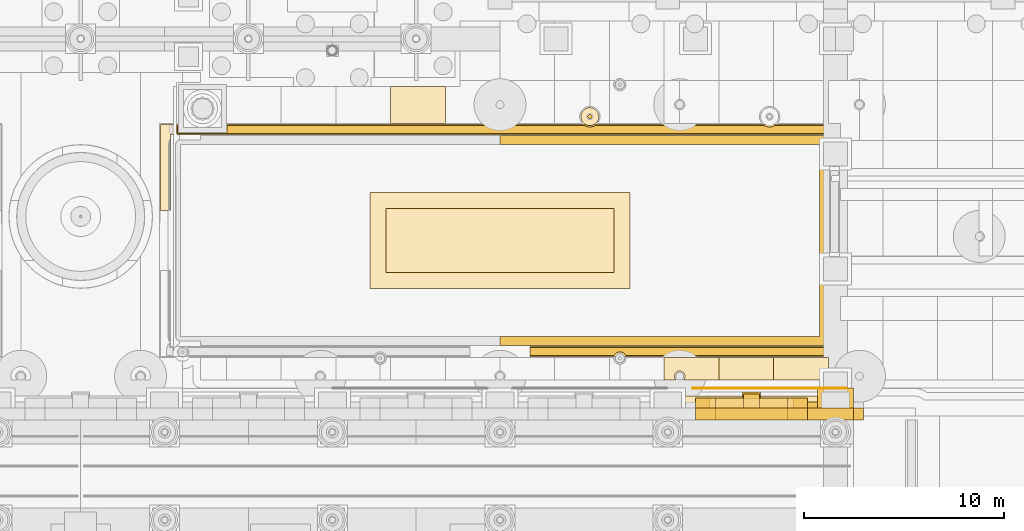
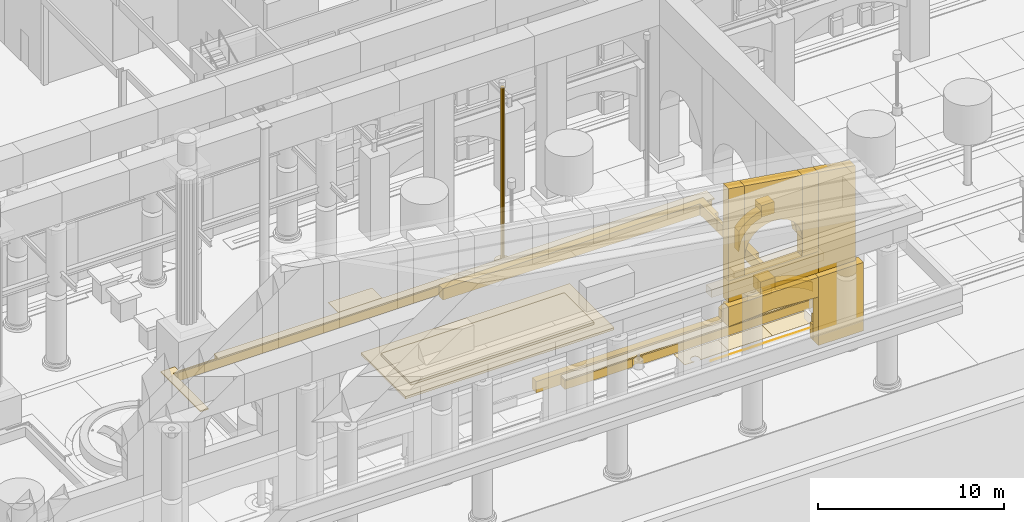
# One storey, part 128 of 222: 31 coverings.
"""IFC4 building model written with IfcOpenShell, lengths in metres."""

from ifc_helpers import new_model, si_unit, direction, frame, origin, origin_2d, place, context, subcontext, project, spatial, polyline, rectangle, circle, outline, extrude, material, layer, layer_set, type_object, element, save


model = new_model("IFC4")

# Units and contexts
model_context = context("Model", 3, precision=1e-05, world=origin(), true_north=direction((0.0, 1.0)))
body_context = subcontext(model_context, "Body", "Model", "MODEL_VIEW")
ifc_project = project(units=[si_unit("LENGTHUNIT", "METRE"), si_unit("AREAUNIT", "SQUARE_METRE"), si_unit("VOLUMEUNIT", "CUBIC_METRE"), si_unit("PLANEANGLEUNIT", "RADIAN"), si_unit("MASSUNIT", "GRAM", prefix="KILO")], contexts=[model_context])

# Site, building, storey
site_placement = place(None, origin())
site = spatial("IfcSite", under=ifc_project, at=site_placement, CompositionType="ELEMENT")
building_placement = place(site_placement, origin())
building = spatial("IfcBuilding", under=site, at=building_placement, Name="Sava Quay Ferry Terminal", CompositionType="ELEMENT")
storey_placement = place(building_placement, origin())
storey = spatial("IfcBuildingStorey", under=building, at=storey_placement, Name="L00", CompositionType="ELEMENT", Elevation=0.0)

# Coverings
ifc_material_1 = material(Name="Limestone Mutalj", Category="masonry")
ifc_layer_1 = layer(ifc_material_1, 0.60009765625)
ifc_layer_set_1 = layer_set([ifc_layer_1], Name="Limestone Mutalj")
covering_type_1 = type_object("IfcCoveringType", Name="Arcade spandrel 600", PredefinedType="CLADDING", material=ifc_layer_set_1)
covering_1_placement = place(storey_placement, frame((93.800048828125, 0.39990234375, 3.199951171875), z_axis=(0.0, 1.0, 0.0), x_axis=(0.0, 0.0, 1.0)))
element("IfcCovering", 1, at=covering_1_placement, inside=storey, type_object=covering_type_1, Name="Arcade spandrel", PredefinedType="CLADDING", context=body_context, shape_type="SweptSolid", body=[
    extrude(outline(polyline([(0.0, 0.0), (1.300048828125, 0.0), (1.300048828125, 5.599853515625), (0.0, 5.599853515625), (0.334228515625, 0.500244140625), (0.60009765625, 1.039794921875), (0.79345703125, 1.609619140625), (0.91064453125, 2.19970703125), (0.949951171875, 2.800048828125), (0.91064453125, 3.400146484375), (0.79345703125, 3.990234375), (0.60009765625, 4.56005859375), (0.334228515625, 5.099609375), (0.0, 0.0)])), origin(), (0.0, 0.0, -1.0), 0.60009765625),
])
ifc_material_2 = material(Name="Limestone Mutalj", Category="masonry")
ifc_layer_2 = layer(ifc_material_2, 0.60009765625)
ifc_layer_set_2 = layer_set([ifc_layer_2], Name="Limestone Mutalj")
covering_type_2 = type_object("IfcCoveringType", Name="Arcade wall pier 2800", PredefinedType="CLADDING", material=ifc_layer_set_2)
covering_2_placement = place(storey_placement, frame((100.800048828125, 0.10009765625, 0.0), z_axis=(0.0, 0.0, 1.0), x_axis=(1.0, 0.0, 0.0)))
element("IfcCovering", 2, at=covering_2_placement, inside=storey, type_object=covering_type_2, Name="Arcade wall pier", PredefinedType="CLADDING", context=body_context, shape_type="SweptSolid", body=[
    extrude(rectangle(XDim=2.800048828125, YDim=0.60009765625, at=origin_2d()), origin(), (0.0, 0.0, 1.0), 4.5),
])
ifc_material_3 = material(Name="Limestone Mutalj", Category="masonry")
ifc_layer_3 = layer(ifc_material_3, 0.5)
ifc_layer_set_3 = layer_set([ifc_layer_3], Name="Limestone Mutalj")
covering_type_3 = type_object("IfcCoveringType", Name="Arch archivolt 500", PredefinedType="MOLDING", material=ifc_layer_set_3)
covering_3_placement = place(storey_placement, frame((93.800048828125, 0.39990234375, 3.199951171875), z_axis=(0.0, -1.0, 0.0), x_axis=(0.807262114097, 0.0, 0.590193086324)))
element("IfcCovering", 3, at=covering_3_placement, inside=storey, type_object=covering_type_3, Name="Arch archivolt", PredefinedType="MOLDING", context=body_context, shape_type="SweptSolid", body=[
    extrude(outline(polyline([(0.0, 0.0), (0.20807213303693342, 0.0), (0.40946312569333504, -0.008724756359381552), (0.6048553291412851, -0.02606827834192732), (0.7947191130804292, -0.05055987286725966), (0.9793045583559503, -0.08268480563038433), (1.159082034667494, -0.12097238355092349), (1.3343016228602433, -0.16590787232388304), (1.5048573321979808, -0.21680892077718283), (1.6715756039617524, -0.2733724526975312), (1.8337740869794783, -0.3357044588211452), (1.9922792225322041, -0.40350186293473334), (2.146840929774747, -0.4762793993432898), (2.2977092895522895, -0.5545223337418203), (2.444634221019649, -0.6377454004353191), (2.7410275751621347, -0.23234057409331088), (2.5951112744575355, -0.14773790906029127), (2.4458279058786156, -0.0673270344139425), (2.293283460161593, 0.008209698673655286), (2.1370837663523186, 0.0791604704204335), (1.9776229954049414, 0.14523710060846096), (1.814362886256347, 0.20653068397859442), (1.6475535197517182, 0.26255595483582816), (1.476800724936906, 0.3136010933980936), (1.3020664024391628, 0.35878666301623635), (1.1232445615222704, 0.39879501486233637), (0.9401530127045152, 0.4325496268101647), (0.7522534949227826, 0.46014159360057844), (0.5596519989132898, 0.4808885640614975), (0.3618102636129225, 0.49488163293377874), (0.0, 0.0)])), origin(), (0.0, 0.0, -1.0), 0.5),
])
covering_4_placement = place(storey_placement, frame((97.050048828125, 0.39990234375, 4.1279296875), z_axis=(0.0, -1.0, 0.0), x_axis=(0.993307380301, 0.0, -0.115500858175)))
element("IfcCovering", 4, at=covering_4_placement, inside=storey, type_object=covering_type_3, Name="Arch archivolt", PredefinedType="MOLDING", context=body_context, shape_type="SweptSolid", body=[
    extrude(outline(polyline([(0.0, 0.0), (0.16910047517119814, 3.469446951953614e-18), (0.3386916034020246, -0.0063333722524431535), (0.5092865965134697, -0.019186226538567767), (0.6803722426845432, -0.03837245307713555), (0.8524617537362355, -0.06407816164938478), (1.025154711654367, -0.09708726921265261), (1.1988797329048202, -0.13685836549424574), (1.3732363994734156, -0.18417536745150137), (1.5487661216328463, -0.2394668915503016), (1.724955687562122, -0.30254682800940813), (1.9024593013407467, -0.3748138200332787), (2.0807637511477304, -0.45608175784067484), (2.2605232410625775, -0.5477492846360541), (2.4413091546194052, -0.65035781069211), (2.3705028423937384, -0.04142352555137574), (2.1917190189078077, 0.04396702589496604), (2.01367963454683, 0.12084164492706989), (1.8368415042283905, 0.18949923513298525), (1.6606632176797962, 0.2503684129785943), (1.4856015898186314, 0.3037480820519464), (1.311058813468798, 0.3505518721882115), (1.1375762989029885, 0.39035116692150745), (0.9645844373968073, 0.42381708940236024), (0.7925682423195425, 0.4510060365341754), (0.6210145018502029, 0.4721041180981913), (0.4503800309063738, 0.48741023768245734), (0.28017981611876747, 0.4968679983835679), (0.11089887085667155, 0.5005337971049285), (-0.05800421515260716, 0.4988362503124215), (0.0, 0.0)])), origin(), (0.0, 0.0, -1.0), 0.5),
])
ifc_material_4 = material(Name="Limestone Mutalj", Category="masonry")
ifc_layer_4 = layer(ifc_material_4, 0.800048828125)
ifc_layer_set_4 = layer_set([ifc_layer_4], Name="Limestone Mutalj")
covering_type_4 = type_object("IfcCoveringType", Name="Arch keystone 900", PredefinedType="CLADDING", material=ifc_layer_set_4)
covering_5_placement = place(storey_placement, frame((96.60009765625, 0.800048828125, 4.14990234375), z_axis=(0.0, 0.0, 1.0), x_axis=(1.0, 0.0, 0.0)))
element("IfcCovering", 5, at=covering_5_placement, inside=storey, type_object=covering_type_4, Name="Arch keystone", PredefinedType="CLADDING", context=body_context, shape_type="SweptSolid", body=[
    extrude(rectangle(XDim=0.89990234375, YDim=0.800048828125, at=origin_2d()), origin(), (0.0, 0.0, 1.0), 0.800048828125),
])
ifc_material_5 = material(Name="Limestone Mutalj", Category="masonry")
ifc_layer_5 = layer(ifc_material_5, 0.60009765625)
ifc_layer_set_5 = layer_set([ifc_layer_5], Name="Limestone Mutalj")
covering_type_5 = type_object("IfcCoveringType", Name="Attic arch head panel 600", PredefinedType="CLADDING", material=ifc_layer_set_5)
covering_6_placement = place(storey_placement, frame((94.800048828125, -0.199951171875, 7.39990234375), z_axis=(0.0, -1.0, 0.0), x_axis=(0.130360467782, 0.0, 0.991466665319)))
element("IfcCovering", 6, at=covering_6_placement, inside=storey, type_object=covering_type_5, Name="Attic arch head panel", PredefinedType="CLADDING", context=body_context, shape_type="SweptSolid", body=[
    extrude(outline(polyline([(0.0, 0.0), (0.47007576696975106, -6.938893903907228e-18), (0.9239096038088954, -0.12180908706656961), (1.3307996686807666, -0.3566594363796859), (1.6628474956806976, -0.6890123392533513), (1.8978308560459949, -1.095934230411302), (2.019343616297553, -1.5500332017691405), (2.0193117900114737, -2.019866911447554), (1.8975027029449039, -2.473700748286698), (1.6626523536317879, -2.880590813158569), (1.3302994507581225, -3.2126386401585), (0.9233775596001718, -3.4476220005237974), (0.46927858824233326, -3.5691347607753556), (4.595387176385888, -3.0266238882640764), (4.679693613433025, 0.6152975887751122), (0.0, 0.0)])), origin(), (0.0, 0.0, -1.0), 0.60009765625),
])
ifc_material_6 = material(Name="Limestone Mutalj", Category="masonry")
ifc_layer_6 = layer(ifc_material_6, 0.60009765625)
ifc_layer_set_6 = layer_set([ifc_layer_6], Name="Limestone Mutalj")
covering_type_6 = type_object("IfcCoveringType", Name="Attic wall pier 2800", PredefinedType="CLADDING", material=ifc_layer_set_6)
covering_7_placement = place(storey_placement, frame((99.39990234375, -0.199951171875, 4.800048828125), z_axis=(0.0, -1.0, 0.0), x_axis=(1.0, 0.0, 0.0)))
element("IfcCovering", 7, at=covering_7_placement, inside=storey, type_object=covering_type_6, Name="Attic wall pier", PredefinedType="CLADDING", context=body_context, shape_type="SweptSolid", body=[
    extrude(outline(polyline([(0.0, 0.0), (2.300048828125, 0.0), (2.300048828125, 6.25), (0.0, 6.6064453125), (0.0, 0.0)])), origin(), (0.0, 0.0, -1.0), 0.60009765625),
])
ifc_material_7 = material(Name="Limestone Mutalj", Category="masonry")
ifc_layer_7 = layer(ifc_material_7, 0.60009765625)
ifc_layer_set_7 = layer_set([ifc_layer_7], Name="Limestone Mutalj")
covering_type_7 = type_object("IfcCoveringType", Name="Attic window jamb panel 600", PredefinedType="CLADDING", material=ifc_layer_set_7)
covering_8_placement = place(storey_placement, frame((93.800048828125, -0.199951171875, 6.199951171875), z_axis=(0.0, -1.0, 0.0), x_axis=(1.0, 0.0, 0.0)))
element("IfcCovering", 8, at=covering_8_placement, inside=storey, type_object=covering_type_7, Name="Attic window jamb panel", PredefinedType="CLADDING", context=body_context, shape_type="SweptSolid", body=[
    extrude(outline(polyline([(0.0, 0.0), (1.0, 0.0), (1.0, 5.919921875), (0.0, 6.074951171875), (0.0, 0.0)])), origin(), (0.0, 0.0, -1.0), 0.60009765625),
])
covering_9_placement = place(storey_placement, frame((98.39990234375, -0.199951171875, 6.199951171875), z_axis=(0.0, -1.0, 0.0), x_axis=(1.0, 0.0, 0.0)))
element("IfcCovering", 9, at=covering_9_placement, inside=storey, type_object=covering_type_7, Name="Attic window jamb panel", PredefinedType="CLADDING", context=body_context, shape_type="SweptSolid", body=[
    extrude(outline(polyline([(0.0, 0.0), (1.0, 0.0), (1.0, 5.20654296875), (0.0, 5.361572265625), (0.0, 0.0)])), origin(), (0.0, 0.0, -1.0), 0.60009765625),
])
ifc_material_8 = material(Name="Limestone Mutalj", Category="masonry")
ifc_layer_8 = layer(ifc_material_8, 0.60009765625)
ifc_layer_set_8 = layer_set([ifc_layer_8], Name="Limestone Mutalj")
covering_type_8 = type_object("IfcCoveringType", Name="Attic window sill panel 600", PredefinedType="CLADDING", material=ifc_layer_set_8)
covering_10_placement = place(storey_placement, frame((93.800048828125, -0.199951171875, 4.800048828125), z_axis=(0.0, -1.0, 0.0), x_axis=(1.0, 0.0, 0.0)))
element("IfcCovering", 10, at=covering_10_placement, inside=storey, type_object=covering_type_8, Name="Attic window sill panel", PredefinedType="CLADDING", context=body_context, shape_type="SweptSolid", body=[
    extrude(outline(polyline([(0.0, 0.0), (5.599853515625, 0.0), (5.599853515625, 1.39990234375), (0.0, 1.39990234375), (0.0, 0.0)])), origin(), (0.0, 0.0, -1.0), 0.60009765625),
])
ifc_material_9 = material(Name="Limestone Mutalj", Category="masonry")
ifc_layer_9 = layer(ifc_material_9, 1.0)
ifc_layer_set_9 = layer_set([ifc_layer_9], Name="Limestone Mutalj")
covering_type_9 = type_object("IfcCoveringType", Name="Back wall pilaster base 1000", PredefinedType="MOLDING", material=ifc_layer_set_9)
covering_11_placement = place(storey_placement, frame((100.800048828125, 0.89990234375, 0.0), z_axis=(0.0, 0.0, 1.0), x_axis=(1.0, 0.0, 0.0)))
element("IfcCovering", 11, at=covering_11_placement, inside=storey, type_object=covering_type_9, Name="Back wall pilaster base", PredefinedType="MOLDING", context=body_context, shape_type="SweptSolid", body=[
    extrude(rectangle(XDim=1.800048828125, YDim=1.0, at=origin_2d()), origin(), (0.0, 0.0, 1.0), 1.0),
])
ifc_material_10 = material(Name="Basalt setts", Category="masonry")
ifc_layer_10 = layer(ifc_material_10, 0.02001953125)
ifc_layer_set_10 = layer_set([ifc_layer_10], Name="Basalt setts")
covering_type_10 = type_object("IfcCoveringType", Name="Basalt inlay line 20", PredefinedType="FLOORING", material=ifc_layer_set_10)
covering_12_placement = place(storey_placement, frame((0.0, 0.0, 0.050048828125)))
element("IfcCovering", 12, at=covering_12_placement, inside=storey, type_object=covering_type_10, Name="Basalt inlay line", PredefinedType="FLOORING", context=body_context, shape_type="SweptSolid", body=[
    extrude(outline(polyline([(93.6240234375, 1.3798828125), (101.3759765625, 1.3798828125), (101.340087890625, 1.419921875), (93.659912109375, 1.419921875), (93.6240234375, 1.3798828125)])), origin(), (0.0, 0.0, 1.0), 0.02001953125),
])
ifc_material_11 = material(Name="Foliage clipped hedge")
ifc_layer_11 = layer(ifc_material_11, 0.449951171875)
ifc_layer_set_11 = layer_set([ifc_layer_11], Name="Foliage clipped hedge")
covering_type_11 = type_object("IfcCoveringType", Name="Clipped hedge 450", PredefinedType="CLADDING", material=ifc_layer_set_11)
covering_13_placement = place(storey_placement, origin())
element("IfcCovering", 13, at=covering_13_placement, inside=storey, type_object=covering_type_11, Name="Clipped hedge", PredefinedType="CLADDING", context=body_context, shape_type="SweptSolid", body=[
    extrude(outline(polyline([(100.449951171875, 12.409912109375), (100.449951171875, 14.050048828125), (84.0, 14.050048828125), (84.0, 13.610107421875), (100.0, 13.610107421875), (100.006103515625, 13.60791015625), (100.009033203125, 13.60498046875), (100.010009765625, 13.60009765625), (100.010009765625, 4.0), (100.007080078125, 3.992919921875), (100.0, 3.989990234375), (84.0, 3.989990234375), (84.0, 3.550048828125), (100.449951171875, 3.550048828125), (100.449951171875, 5.989990234375), (100.25, 5.989990234375), (100.242919921875, 5.992919921875), (100.239990234375, 5.9990234375), (100.239990234375, 8.0), (100.242919921875, 8.007080078125), (100.25, 8.010009765625), (100.449951171875, 8.010009765625), (100.449951171875, 11.389892578125), (100.25, 11.389892578125), (100.243896484375, 11.39208984375), (100.239990234375, 11.39794921875), (100.239990234375, 12.39990234375), (100.242919921875, 12.406982421875), (100.25, 12.409912109375), (100.449951171875, 12.409912109375)])), origin(), (0.0, 0.0, 1.0), 0.75),
])
ifc_material_12 = material(Name="Limestone Mutalj", Category="masonry")
ifc_layer_12 = layer(ifc_material_12, 0.030029296875)
ifc_layer_set_12 = layer_set([ifc_layer_12], Name="Limestone Mutalj")
covering_type_12 = type_object("IfcCoveringType", Name="Court paving tile 30", PredefinedType="FLOORING", material=ifc_layer_set_12)
covering_14_placement = place(storey_placement, origin())
element("IfcCovering", 14, at=covering_14_placement, inside=storey, type_object=covering_type_12, Name="Limestone paving tile", PredefinedType="FLOORING", context=body_context, shape_type="SweptSolid", body=[
    extrude(outline(polyline([(78.52001953125, 16.5), (78.52001953125, 14.64990234375), (81.260009765625, 14.64990234375), (81.260009765625, 16.5), (78.52001953125, 16.5)])), origin(), (0.0, 0.0, 1.0), 0.030029296875),
])
covering_15_placement = place(storey_placement, origin())
element("IfcCovering", 15, at=covering_15_placement, inside=storey, type_object=covering_type_12, Name="Limestone paving tile", PredefinedType="FLOORING", context=body_context, shape_type="SweptSolid", body=[
    extrude(outline(polyline([(94.9599609375, 1.81005859375), (97.699951171875, 1.81005859375), (97.699951171875, 2.949951171875), (94.9599609375, 2.949951171875), (94.9599609375, 1.81005859375)])), origin(), (0.0, 0.0, 1.0), 0.030029296875),
])
ifc_material_13 = material(Name="Red sandstone Vrsac", Category="masonry")
ifc_layer_13 = layer(ifc_material_13, 0.030029296875)
ifc_layer_set_13 = layer_set([ifc_layer_13], Name="Red sandstone Vrsac")
covering_type_13 = type_object("IfcCoveringType", Name="Court paving tile sandstone 30", PredefinedType="FLOORING", material=ifc_layer_set_13)
covering_16_placement = place(storey_placement, origin())
element("IfcCovering", 16, at=covering_16_placement, inside=storey, type_object=covering_type_13, Name="Sandstone paving tile", PredefinedType="FLOORING", context=body_context, shape_type="SweptSolid", body=[
    extrude(outline(polyline([(93.4580078125, 1.81005859375), (94.9599609375, 1.81005859375), (94.9599609375, 2.949951171875), (92.219970703125, 2.949951171875), (92.219970703125, 1.81005859375), (92.5419921875, 1.81005859375), (92.548095703125, 1.80810546875), (92.552978515625, 1.800048828125), (92.833984375, 1.800048828125), (92.799072265625, 1.8349609375), (92.783935546875, 1.85595703125), (92.77099609375, 1.876953125), (92.7509765625, 1.924072265625), (92.7451171875, 1.948974609375), (92.740966796875, 1.97509765625), (92.739990234375, 2.0), (92.740966796875, 2.02490234375), (92.7451171875, 2.051025390625), (92.7509765625, 2.075927734375), (92.77099609375, 2.123046875), (92.783935546875, 2.14501953125), (92.799072265625, 2.1650390625), (92.8349609375, 2.200927734375), (92.876953125, 2.22900390625), (92.89990234375, 2.239990234375), (92.925048828125, 2.2490234375), (92.948974609375, 2.2548828125), (92.97412109375, 2.259033203125), (93.0, 2.260009765625), (93.02587890625, 2.259033203125), (93.075927734375, 2.2490234375), (93.1220703125, 2.22998046875), (93.14501953125, 2.216064453125), (93.1650390625, 2.200927734375), (93.200927734375, 2.1650390625), (93.22900390625, 2.123046875), (93.2490234375, 2.075927734375), (93.2548828125, 2.051025390625), (93.259033203125, 2.02490234375), (93.260009765625, 2.0), (93.259033203125, 1.97509765625), (93.2548828125, 1.948974609375), (93.2490234375, 1.924072265625), (93.22900390625, 1.876953125), (93.216064453125, 1.85595703125), (93.200927734375, 1.8349609375), (93.166015625, 1.800048828125), (93.447021484375, 1.800048828125), (93.450927734375, 1.80810546875), (93.4580078125, 1.81005859375)])), origin(), (0.0, 0.0, 1.0), 0.030029296875),
])
covering_17_placement = place(storey_placement, origin())
element("IfcCovering", 17, at=covering_17_placement, inside=storey, type_object=covering_type_13, Name="Sandstone paving tile", PredefinedType="FLOORING", context=body_context, shape_type="SweptSolid", body=[
    extrude(outline(polyline([(97.699951171875, 1.81005859375), (100.43994140625, 1.81005859375), (100.43994140625, 2.949951171875), (97.699951171875, 2.949951171875), (97.699951171875, 1.81005859375)])), origin(), (0.0, 0.0, 1.0), 0.030029296875),
])
ifc_material_14 = material(Name="Limestone Mutalj", Category="masonry")
ifc_layer_14 = layer(ifc_material_14, 0.60009765625)
ifc_layer_set_14 = layer_set([ifc_layer_14], Name="Limestone Mutalj")
covering_type_14 = type_object("IfcCoveringType", Name="Face string course 600", PredefinedType="MOLDING", material=ifc_layer_set_14)
covering_18_placement = place(storey_placement, frame((96.60009765625, 0.699951171875, 5.0), z_axis=(0.0, 0.0, 1.0), x_axis=(1.0, 0.0, 0.0)))
element("IfcCovering", 18, at=covering_18_placement, inside=storey, type_object=covering_type_14, Name="Face string course", PredefinedType="MOLDING", context=body_context, shape_type="SweptSolid", body=[
    extrude(rectangle(XDim=7.0, YDim=0.60009765625, at=origin_2d()), origin(), (0.0, 0.0, 1.0), 0.5),
])
ifc_material_15 = material(Name="Steel S355", Category="steel")
ifc_layer_15 = layer(ifc_material_15, 0.89990234375)
ifc_layer_set_15 = layer_set([ifc_layer_15], Name="Steel S355")
covering_type_15 = type_object("IfcCoveringType", Name="Flagstaff base plate 900", PredefinedType="MOLDING", material=ifc_layer_set_15)
covering_19_placement = place(storey_placement, frame((88.5, 15.0, 0.25), z_axis=(0.0, 0.0, -1.0), x_axis=(1.0, 0.0, 0.0)))
element("IfcCovering", 19, at=covering_19_placement, inside=storey, type_object=covering_type_15, Name="Flagstaff base plate", PredefinedType="MOLDING", context=body_context, shape_type="SweptSolid", body=[
    extrude(circle(Radius=0.449951171875, at=origin_2d()), origin(), (0.0, 0.0, 1.0), 0.25),
])
ifc_material_16 = material(Name="Steel S355", Category="steel")
ifc_layer_16 = layer(ifc_material_16, 0.219970703125)
ifc_layer_set_16 = layer_set([ifc_layer_16], Name="Steel S355")
covering_type_16 = type_object("IfcCoveringType", Name="Flagstaff mast 220", PredefinedType="CLADDING", material=ifc_layer_set_16)
covering_20_placement = place(storey_placement, frame((88.5, 15.0, 11.64990234375), z_axis=(0.0, 0.0, -1.0), x_axis=(1.0, 0.0, 0.0)))
element("IfcCovering", 20, at=covering_20_placement, inside=storey, type_object=covering_type_16, Name="Flagstaff mast", PredefinedType="CLADDING", context=body_context, shape_type="SweptSolid", body=[
    extrude(circle(Radius=0.110107421875, at=origin_2d()), origin(), (0.0, 0.0, 1.0), 11.39990234375),
])
ifc_material_17 = material(Name="Limestone Mutalj", Category="masonry")
ifc_layer_17 = layer(ifc_material_17, 0.080078125)
ifc_layer_set_17 = layer_set([ifc_layer_17], Name="Limestone Mutalj")
covering_type_17 = type_object("IfcCoveringType", Name="Garden bed wall coping 450", PredefinedType="MOLDING", material=ifc_layer_set_17)
covering_21_placement = place(storey_placement, frame((0.0, 0.0, 0.60009765625)))
element("IfcCovering", 21, at=covering_21_placement, inside=storey, type_object=covering_type_17, Name="Garden bed wall coping", PredefinedType="MOLDING", context=body_context, shape_type="SweptSolid", body=[
    extrude(outline(polyline([(67.8798828125, 14.60009765625), (67.0, 14.60009765625), (67.0, 10.300048828125), (67.5, 10.300048828125), (67.5, 14.10009765625), (100.5, 14.10009765625), (100.5, 13.7529296875), (101.0, 13.7529296875), (101.0, 14.60009765625), (70.320068359375, 14.60009765625), (70.320068359375, 14.199951171875), (70.319091796875, 14.194091796875), (70.31494140625, 14.18701171875), (70.31103515625, 14.18310546875), (70.303955078125, 14.179931640625), (67.89990234375, 14.179931640625), (67.89208984375, 14.181884765625), (67.885986328125, 14.18603515625), (67.882080078125, 14.19189453125), (67.8798828125, 14.199951171875), (67.8798828125, 14.60009765625)])), origin(), (0.0, 0.0, 1.0), 0.079833984375),
])
covering_22_placement = place(storey_placement, frame((0.0, 0.0, 0.60009765625)))
element("IfcCovering", 22, at=covering_22_placement, inside=storey, type_object=covering_type_17, Name="Garden bed wall coping", PredefinedType="MOLDING", context=body_context, shape_type="SweptSolid", body=[
    extrude(outline(polyline([(101.0, 3.0), (101.0, 6.7470703125), (100.5, 6.7470703125), (100.5, 3.5), (85.5, 3.5), (85.5, 3.0), (89.887939453125, 3.0), (89.904052734375, 3.014892578125), (89.916015625, 3.02392578125), (89.94189453125, 3.0380859375), (89.971923828125, 3.047119140625), (90.0009765625, 3.050048828125), (90.030029296875, 3.047119140625), (90.05810546875, 3.0380859375), (90.083984375, 3.02392578125), (90.095947265625, 3.014892578125), (90.112060546875, 3.0), (101.0, 3.0)])), origin(), (0.0, 0.0, 1.0), 0.079833984375),
])
ifc_material_18 = material(Name="Limestone Mutalj", Category="masonry")
ifc_layer_18 = layer(ifc_material_18, 0.300048828125)
ifc_layer_set_18 = layer_set([ifc_layer_18], Name="Limestone Mutalj")
covering_type_18 = type_object("IfcCoveringType", Name="Pier rustication block 300", PredefinedType="CLADDING", material=ifc_layer_set_18)
covering_23_placement = place(storey_placement, frame((99.64990234375, 0.550048828125, 0.0), z_axis=(0.0, 0.0, 1.0), x_axis=(1.0, 0.0, 0.0)))
element("IfcCovering", 23, at=covering_23_placement, inside=storey, type_object=covering_type_18, Name="Pier rustication block", PredefinedType="CLADDING", context=body_context, shape_type="SweptSolid", body=[
    extrude(rectangle(XDim=0.5, YDim=0.300048828125, at=origin_2d()), origin(), (0.0, 0.0, 1.0), 1.0),
])
ifc_material_19 = material(Name="Limestone Mutalj", Category="masonry")
ifc_layer_19 = layer(ifc_material_19, 0.39990234375)
ifc_layer_set_19 = layer_set([ifc_layer_19], Name="Limestone Mutalj")
covering_type_19 = type_object("IfcCoveringType", Name="Retaining wall 400", PredefinedType="CLADDING", material=ifc_layer_set_19)
covering_24_placement = place(storey_placement, origin())
element("IfcCovering", 24, at=covering_24_placement, inside=storey, type_object=covering_type_19, Name="Retaining wall", PredefinedType="CLADDING", context=body_context, shape_type="SweptSolid", body=[
    extrude(outline(polyline([(67.8798828125, 14.550048828125), (67.820068359375, 14.550048828125), (67.820068359375, 14.14990234375), (100.550048828125, 14.14990234375), (100.550048828125, 13.952880859375), (100.949951171875, 13.952880859375), (100.949951171875, 14.550048828125), (97.760009765625, 14.550048828125), (97.743896484375, 14.541015625), (97.699951171875, 14.52001953125), (97.64990234375, 14.501953125), (97.60205078125, 14.489990234375), (97.552001953125, 14.48291015625), (97.4990234375, 14.47998046875), (97.447998046875, 14.48291015625), (97.39990234375, 14.489990234375), (97.35009765625, 14.501953125), (97.300048828125, 14.52001953125), (97.256103515625, 14.541015625), (97.239990234375, 14.550048828125), (88.760009765625, 14.550048828125), (88.743896484375, 14.541015625), (88.699951171875, 14.52001953125), (88.64990234375, 14.501953125), (88.60205078125, 14.489990234375), (88.552001953125, 14.48291015625), (88.4990234375, 14.47998046875), (88.447998046875, 14.48291015625), (88.39990234375, 14.489990234375), (88.35009765625, 14.501953125), (88.300048828125, 14.52001953125), (88.256103515625, 14.541015625), (88.239990234375, 14.550048828125), (70.320068359375, 14.550048828125), (70.320068359375, 14.199951171875), (70.319091796875, 14.194091796875), (70.31494140625, 14.18701171875), (70.31103515625, 14.18310546875), (70.303955078125, 14.179931640625), (67.89990234375, 14.179931640625), (67.89208984375, 14.181884765625), (67.886962890625, 14.18505859375), (67.882080078125, 14.19091796875), (67.8798828125, 14.197998046875), (67.8798828125, 14.550048828125)])), origin(), (0.0, 0.0, 1.0), 0.60009765625),
])
covering_25_placement = place(storey_placement, origin())
element("IfcCovering", 25, at=covering_25_placement, inside=storey, type_object=covering_type_19, Name="Retaining wall", PredefinedType="CLADDING", context=body_context, shape_type="SweptSolid", body=[
    extrude(outline(polyline([(100.949951171875, 3.050048828125), (100.949951171875, 6.360107421875), (100.6298828125, 6.360107421875), (100.62109375, 6.362060546875), (100.613037109375, 6.368896484375), (100.610107421875, 6.3779296875), (100.610107421875, 6.547119140625), (100.550048828125, 6.547119140625), (100.550048828125, 3.449951171875), (85.5, 3.449951171875), (85.5, 3.050048828125), (89.717041015625, 3.050048828125), (89.73388671875, 3.0791015625), (89.751953125, 3.10205078125), (89.77294921875, 3.1259765625), (89.798095703125, 3.14794921875), (89.821044921875, 3.166015625), (89.847900390625, 3.181884765625), (89.876953125, 3.195068359375), (89.907958984375, 3.2060546875), (89.93701171875, 3.214111328125), (89.968017578125, 3.218017578125), (90.0009765625, 3.219970703125), (90.030029296875, 3.218994140625), (90.06103515625, 3.214111328125), (90.093994140625, 3.2060546875), (90.123046875, 3.195068359375), (90.14990234375, 3.18310546875), (90.177001953125, 3.1669921875), (90.201904296875, 3.14794921875), (90.22705078125, 3.1259765625), (90.248046875, 3.10205078125), (90.26611328125, 3.0791015625), (90.282958984375, 3.050048828125), (100.949951171875, 3.050048828125)])), origin(), (0.0, 0.0, 1.0), 0.60009765625),
])
ifc_material_20 = material(Name="Limestone Mutalj", Category="masonry")
ifc_layer_20 = layer(ifc_material_20, 0.14990234375)
ifc_layer_set_20 = layer_set([ifc_layer_20], Name="Limestone Mutalj")
covering_type_20 = type_object("IfcCoveringType", Name="Stone step 150", PredefinedType="MOLDING", material=ifc_layer_set_20)
covering_26_placement = place(storey_placement, frame((0.0, 0.0, 0.14990234375)))
element("IfcCovering", 26, at=covering_26_placement, inside=storey, type_object=covering_type_20, Name="Stone step 150", PredefinedType="MOLDING", context=body_context, shape_type="SweptSolid", body=[
    extrude(outline(polyline([(90.5, 11.199951171875), (77.5, 11.199951171875), (77.5, 6.39990234375), (90.5, 6.39990234375), (90.5, 11.199951171875)]), holes=[polyline([(78.300048828125, 10.39990234375), (89.699951171875, 10.39990234375), (89.699951171875, 7.199951171875), (78.300048828125, 7.199951171875), (78.300048828125, 10.39990234375)])]), origin(), (0.0, 0.0, 1.0), 0.150146484375),
])
ifc_material_21 = material(Name="Limestone Mutalj", Category="masonry")
ifc_layer_21 = layer(ifc_material_21, 0.14990234375)
ifc_layer_set_21 = layer_set([ifc_layer_21], Name="Limestone Mutalj")
covering_type_21 = type_object("IfcCoveringType", Name="Stone step 300", PredefinedType="MOLDING", material=ifc_layer_set_21)
covering_27_placement = place(storey_placement, frame((0.0, 0.0, 0.14990234375)))
element("IfcCovering", 27, at=covering_27_placement, inside=storey, type_object=covering_type_21, Name="Stone step 300", PredefinedType="MOLDING", context=body_context, shape_type="SweptSolid", body=[
    extrude(outline(polyline([(78.300048828125, 7.199951171875), (89.699951171875, 7.199951171875), (89.699951171875, 10.39990234375), (78.300048828125, 10.39990234375), (78.300048828125, 7.199951171875)])), origin(), (0.0, 0.0, 1.0), 0.300048828125),
])
ifc_material_22 = material(Name="Limestone Mutalj", Category="masonry")
ifc_layer_22 = layer(ifc_material_22, 0.5)
ifc_layer_set_22 = layer_set([ifc_layer_22], Name="Limestone Mutalj")
covering_type_22 = type_object("IfcCoveringType", Name="Window archivolt 450", PredefinedType="MOLDING", material=ifc_layer_set_22)
covering_28_placement = place(storey_placement, frame((94.800048828125, 0.39990234375, 7.39990234375), z_axis=(0.0, -1.0, 0.0), x_axis=(0.166377641134, 0.0, 0.986062107846)))
element("IfcCovering", 28, at=covering_28_placement, inside=storey, type_object=covering_type_22, Name="Window archivolt", PredefinedType="MOLDING", context=body_context, shape_type="SweptSolid", body=[
    extrude(outline(polyline([(0.0, 0.0), (0.6001618663680972, 0.0), (0.8464797579087572, -0.05995146351930278), (1.0311687677090124, -0.1303015296094907), (1.1823546010854897, -0.20605697412004037), (1.3109516989892047, -0.28587139333138545), (1.4228972678200338, -0.36824782307261594), (1.521402138311442, -0.45313968494552603), (1.6090738069344195, -0.5398594261765993), (1.686834605424868, -0.6280038307813677), (1.7564509376004613, -0.7177700376093801), (1.8183230400172117, -0.8085953319394548), (1.8732543652155995, -0.9008393307863108), (1.9214450314736302, -0.9942206767893577), (1.9635766327079072, -1.088376773505419), (2.416404470808302, -1.0119714163341889), (2.3795691015985914, -0.9169216897096921), (2.338119094280917, -0.8224029965504548), (2.2916135927579755, -0.7287373137583606), (2.2400932165710588, -0.6361653791527075), (2.1832359888182835, -0.5442463366361916), (2.120641672943638, -0.45354290092999444), (2.0519882920452384, -0.36361421593681204), (1.9765942522064819, -0.27482287809982003), (1.8940186973300643, -0.18749086432090212), (1.8034581748755054, -0.10125855758533892), (1.7037902348288976, -0.01681053123818993), (1.5932484733725667, 0.06605035357009414), (1.4699476074934175, 0.14675840268987458), (1.3312801407204597, 0.22462606334763535), (0.0, 0.0)])), origin(), (0.0, 0.0, -1.0), 0.5),
])
covering_29_placement = place(storey_placement, frame((97.0, 0.39990234375, 9.155029296875), z_axis=(0.0, -1.0, 0.0), x_axis=(0.968166647099, 0.0, -0.250306499006)))
element("IfcCovering", 29, at=covering_29_placement, inside=storey, type_object=covering_type_22, Name="Window archivolt", PredefinedType="MOLDING", context=body_context, shape_type="SweptSolid", body=[
    extrude(outline(polyline([(0.0, 0.0), (0.10338887065559549, 3.469446951953614e-18), (0.20806912212858697, -0.005970330243282702), (0.3146968219949552, -0.01849787719061112), (0.42286034261915506, -0.03794122962253005), (0.5332157515771674, -0.06488727399980251), (0.6456489000288829, -0.09986985792819128), (0.7603511890597372, -0.14460467306509403), (0.8780397962308196, -0.19991497468160066), (0.9989141937576748, -0.26852303966152546), (1.1242415490673723, -0.35337944256890097), (1.2553132429773082, -0.46045451364701), (1.3946428560070567, -0.6004459593456741), (1.5498529940350156, -0.8008867105029287), (1.7946584413627589, -1.348850722825911), (1.456720223710436, -0.04173120171786998), (1.3290626178364908, 0.05311380120834647), (1.2050796821991896, 0.132770090288529), (1.084571944582988, 0.19995994240649212), (0.9665777874863608, 0.2564520880746335), (0.8509058098238726, 0.30396221895035075), (0.7374868304803056, 0.34373328907038747), (0.6256647818796794, 0.3763521848955068), (0.5157901816724297, 0.4024138640165803), (0.40720696228257613, 0.4225052128943712), (0.30009038253533654, 0.4369237103243152), (0.1945545912708202, 0.4462032039121753), (0.09006574088326413, 0.45045784249806037), (-0.012903431006677638, 0.44980984605218843), (-0.11494788198987689, 0.4446097322249955), (0.0, 0.0)])), origin(), (0.0, 0.0, -1.0), 0.5),
])
ifc_material_23 = material(Name="Limestone Mutalj", Category="masonry")
ifc_layer_23 = layer(ifc_material_23, 0.699951171875)
ifc_layer_set_23 = layer_set([ifc_layer_23], Name="Limestone Mutalj")
covering_type_23 = type_object("IfcCoveringType", Name="Window keystone 800", PredefinedType="CLADDING", material=ifc_layer_set_23)
covering_30_placement = place(storey_placement, frame((96.60009765625, 0.75, 9.199951171875), z_axis=(0.0, 0.0, 1.0), x_axis=(1.0, 0.0, 0.0)))
element("IfcCovering", 30, at=covering_30_placement, inside=storey, type_object=covering_type_23, Name="Window keystone", PredefinedType="CLADDING", context=body_context, shape_type="SweptSolid", body=[
    extrude(rectangle(XDim=0.800048828125, YDim=0.699951171875, at=origin_2d()), origin(), (0.0, 0.0, 1.0), 0.75),
])
ifc_material_24 = material(Name="Limestone Mutalj", Category="masonry")
ifc_layer_24 = layer(ifc_material_24, 0.5)
ifc_layer_set_24 = layer_set([ifc_layer_24], Name="Limestone Mutalj")
covering_type_24 = type_object("IfcCoveringType", Name="Window sill band 400", PredefinedType="MOLDING", material=ifc_layer_set_24)
covering_31_placement = place(storey_placement, frame((96.60009765625, 0.64990234375, 5.800048828125), z_axis=(0.0, 0.0, 1.0), x_axis=(1.0, 0.0, 0.0)))
element("IfcCovering", 31, at=covering_31_placement, inside=storey, type_object=covering_type_24, Name="Window sill band", PredefinedType="MOLDING", context=body_context, shape_type="SweptSolid", body=[
    extrude(rectangle(XDim=4.199951171875, YDim=0.5, at=origin_2d()), origin(), (0.0, 0.0, 1.0), 0.39990234375),
])

save(model, "model.ifc")
